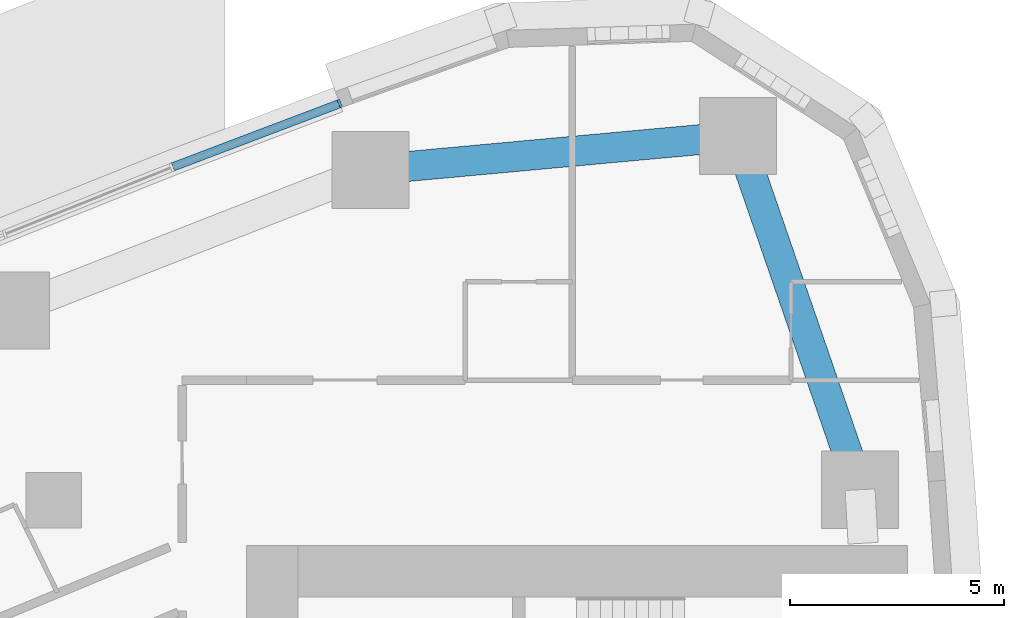
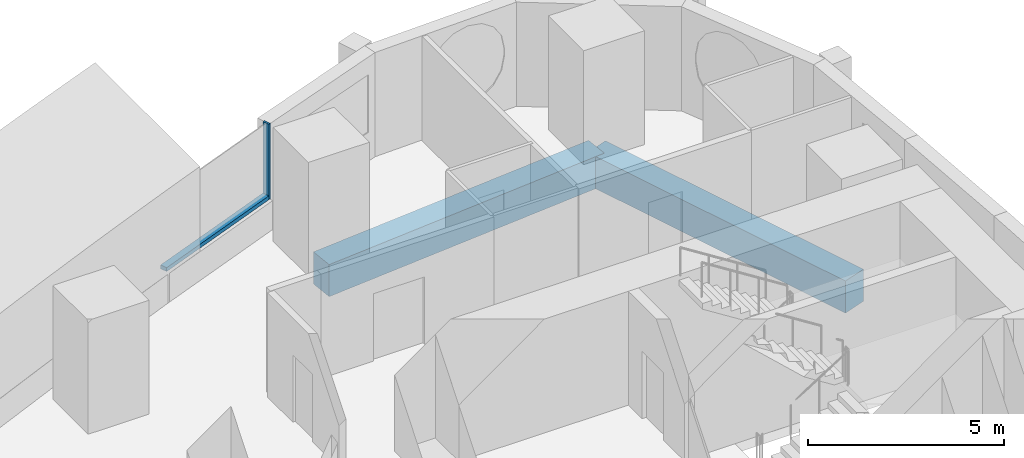
# One storey, part 7 of 19: 2 beams, 2 members, 1 element without a shape of its own.
"""IFC4 building model written with IfcOpenShell, lengths in metres."""

from ifc_helpers import new_model, si_unit, direction, frame, origin, origin_2d, place, context, subcontext, project, spatial, rectangle, extrude, material, layer, layer_set, material_profile, profile_set, type_object, element, aggregate, save


model = new_model("IFC4")

# Units and contexts
model_context = context("Model", 3, precision=1e-05, world=origin(), true_north=direction((0.0, 1.0)))
body_context = subcontext(model_context, "Body", "Model", "MODEL_VIEW")
ifc_project = project(units=[si_unit("LENGTHUNIT", "METRE"), si_unit("AREAUNIT", "SQUARE_METRE"), si_unit("VOLUMEUNIT", "CUBIC_METRE"), si_unit("PLANEANGLEUNIT", "RADIAN"), si_unit("MASSUNIT", "GRAM", prefix="KILO")], contexts=[model_context])

# Site, building, storey
site_placement = place(None, origin())
site = spatial("IfcSite", under=ifc_project, at=site_placement, CompositionType="ELEMENT")
building_placement = place(site_placement, origin())
building = spatial("IfcBuilding", under=site, at=building_placement, Name="Ostrand Prow Hotel Tower", CompositionType="ELEMENT")
storey_placement = place(building_placement, frame((0.0, 0.0, 68.0)))
storey = spatial("IfcBuildingStorey", under=building, at=storey_placement, Name="L15", CompositionType="ELEMENT", Elevation=68.0)

# Beams
ifc_material_1 = material(Name="Concrete C80/95", Category="concrete")
ifc_material_profile_1 = material_profile(ifc_material_1, rectangle(XDim=0.699951171875, YDim=1.0, at=origin_2d()), Name="RC 700x1000")
ifc_profile_set_1 = profile_set([ifc_material_profile_1], Name="Concrete C80/95")
beam_type = type_object("IfcBeamType", Name="Edge beam 700x1000 C80/95", PredefinedType="SPANDREL", material=ifc_profile_set_1)
beam_1_placement = place(storey_placement, frame((63.8134765625, 18.248779296875, -0.800048828125), z_axis=(-0.326263961413, 0.945278703602, 0.0), x_axis=(-0.945278703602, -0.326263961413, 0.0)))
element("IfcBeam", 1, at=beam_1_placement, inside=storey, type_object=beam_type, Name="Edge beam B5-NE", PredefinedType="SPANDREL", context=body_context, shape_type="SweptSolid", body=[
    extrude(rectangle(XDim=0.699951171875, YDim=1.0, at=origin_2d()), origin(), (0.0, 0.0, 1.0), 8.727294921875),
])
beam_2_placement = place(storey_placement, frame((60.966064453125, 26.49853515625, -0.800048828125), z_axis=(-0.995800189514, -0.091553167961, 0.0), x_axis=(0.091553167961, -0.995800189514, 0.0)))
element("IfcBeam", 2, at=beam_2_placement, inside=storey, type_object=beam_type, Name="Edge beam NE-N1", PredefinedType="SPANDREL", context=body_context, shape_type="SweptSolid", body=[
    extrude(rectangle(XDim=0.699951171875, YDim=1.0, at=origin_2d()), origin(), (0.0, 0.0, 1.0), 8.610595703125),
])

# Curtain wall, members
ifc_material_2 = material(Name="Insulated glass in bronze anodised frame", Category="glass")
ifc_layer = layer(ifc_material_2, 0.199951171875)
ifc_layer_set = layer_set([ifc_layer], Name="Insulated glass in bronze anodised frame")
curtain_wall_type = type_object("IfcCurtainWallType", Name="Strip curtain wall, fritted glass over bronze spandrel", PredefinedType="NOTDEFINED", material=ifc_layer_set)
curtain_wall_placement = place(storey_placement, origin())
curtain_wall = element("IfcCurtainWall", 3, at=curtain_wall_placement, inside=storey, type_object=curtain_wall_type, Name="CW1 run CWN1", PredefinedType="NOTDEFINED")
ifc_material_3 = material(Name="Bronze anodised aluminium", Category="aluminium")
ifc_material_profile_2 = material_profile(ifc_material_3, rectangle(XDim=0.199951171875, YDim=0.06005859375, at=origin_2d()), Name="Mullion 60x200 bronze anodised aluminium")
ifc_profile_set_2 = profile_set([ifc_material_profile_2], Name="Bronze anodised aluminium")
member_type_1 = type_object("IfcMemberType", Name="Mullion 60x200 bronze anodised aluminium", PredefinedType="MULLION", material=ifc_profile_set_2)
member_1_placement = place(storey_placement, frame((51.674560546875, 27.2578125, 0.89990234375), z_axis=(0.0, 0.0, 1.0), x_axis=(0.354728407072, -0.934969388384, 0.0)))
member_1 = element("IfcMember", 4, at=member_1_placement, type_object=member_type_1, Name="CW1 mullion 1", PredefinedType="MULLION", context=body_context, shape_type="SweptSolid", body=[
    extrude(rectangle(XDim=0.199951171875, YDim=0.06005859375, at=origin_2d()), origin(), (0.0, 0.0, 1.0), 2.35009765625),
])
ifc_material_4 = material(Name="Bronze anodised aluminium", Category="aluminium")
ifc_material_profile_3 = material_profile(ifc_material_4, rectangle(XDim=0.199951171875, YDim=0.1201171875, at=origin_2d()), Name="Transom 120x200 bronze anodised aluminium")
ifc_profile_set_3 = profile_set([ifc_material_profile_3], Name="Bronze anodised aluminium")
member_type_2 = type_object("IfcMemberType", Name="Transom 120x200 bronze anodised aluminium", PredefinedType="USERDEFINED", material=ifc_profile_set_3)
member_2_placement = place(storey_placement, frame((51.646484375, 27.2470703125, 0.9599609375), z_axis=(-0.93497051437, -0.354725439261, 0.0), x_axis=(0.354725439261, -0.93497051437, 0.0)))
member_2 = element("IfcMember", 5, at=member_2_placement, type_object=member_type_2, Name="CW1 transom 1.1", ObjectType="TRANSOM", PredefinedType="USERDEFINED", context=body_context, shape_type="SweptSolid", body=[
    extrude(rectangle(XDim=0.199951171875, YDim=0.1201171875, at=origin_2d()), origin(), (0.0, 0.0, 1.0), 4.13427734375),
])
aggregate(curtain_wall, [member_1, member_2])

save(model, "model.ifc")
